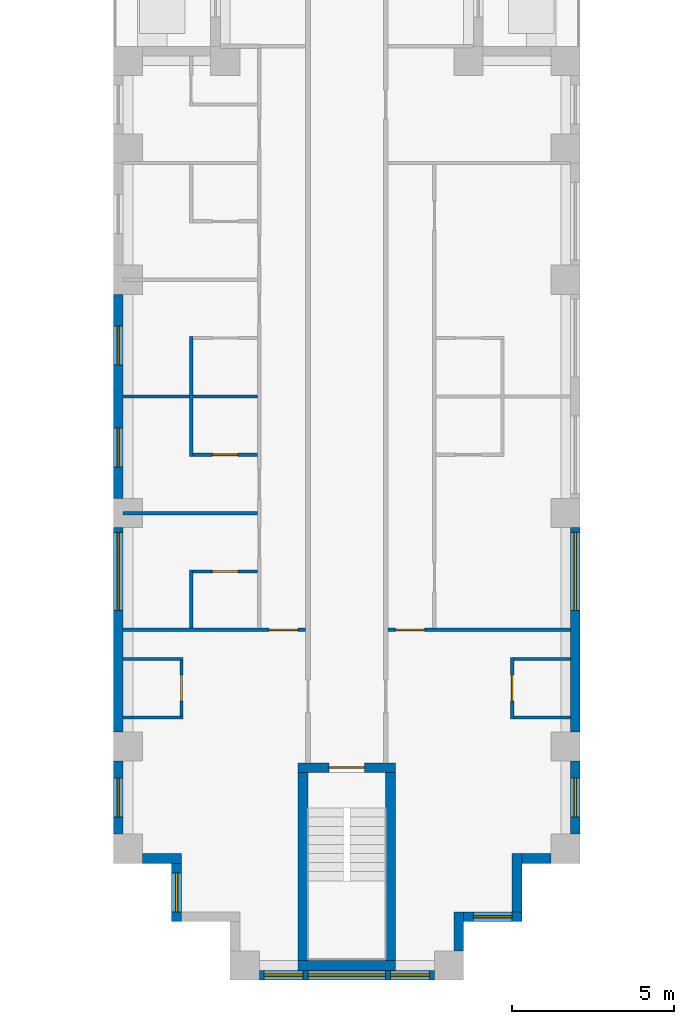
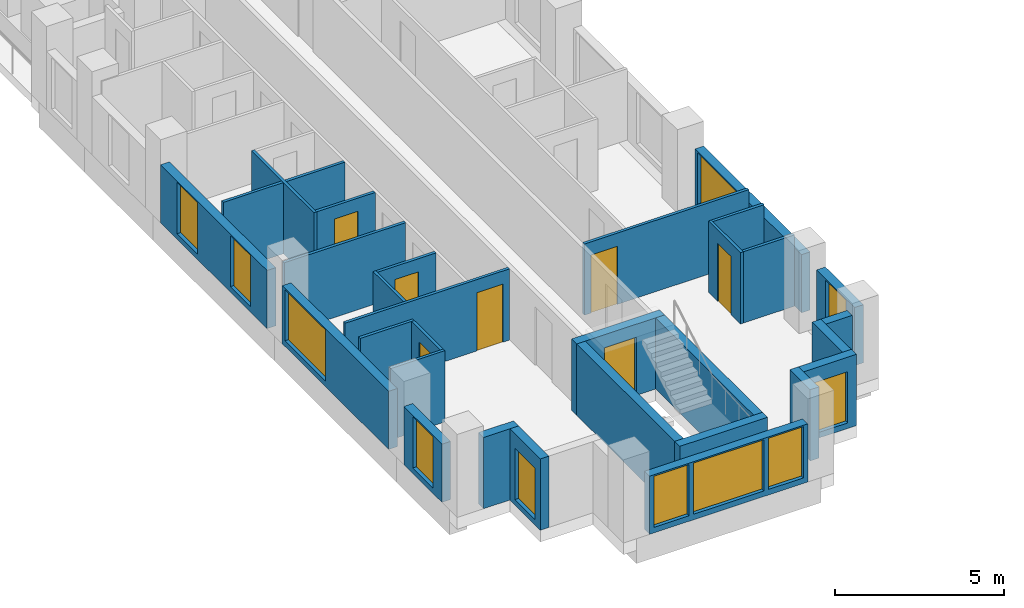
# One storey, part 3 of 15: 30 walls, 11 windows, 7 doors, 18 openings.
"""IFC4 building model written with IfcOpenShell, lengths in metres."""

from ifc_helpers import new_model, si_unit, direction, frame, frame_2d, origin, place, context, subcontext, project, spatial, rectangle, extrude, material, layer, layer_set, type_object, element, fill, save


model = new_model("IFC4")

# Units and contexts
model_context = context("Model", 3, precision=1e-05, world=origin(), true_north=direction((0.0, 1.0)))
body_context = subcontext(model_context, "Body", "Model", "MODEL_VIEW")
ifc_project = project(units=[si_unit("LENGTHUNIT", "METRE"), si_unit("AREAUNIT", "SQUARE_METRE"), si_unit("VOLUMEUNIT", "CUBIC_METRE"), si_unit("PLANEANGLEUNIT", "RADIAN"), si_unit("MASSUNIT", "GRAM", prefix="KILO")], contexts=[model_context])

# Site, building, storey
site_placement = place(None, origin())
site = spatial("IfcSite", under=ifc_project, at=site_placement, CompositionType="ELEMENT")
building_placement = place(site_placement, origin())
building = spatial("IfcBuilding", under=site, at=building_placement, Name="Fustian Cross Tower", CompositionType="ELEMENT")
storey_placement = place(building_placement, frame((0.0, 0.0, 14.699951171875)))
storey = spatial("IfcBuildingStorey", under=building, at=storey_placement, Name="L03", CompositionType="ELEMENT", Elevation=14.699951171875)

# Walls
ifc_material_1 = material(Name="Plasterboard on steel stud", Category="steel")
ifc_layer_1 = layer(ifc_material_1, 0.10009765625)
ifc_layer_set_1 = layer_set([ifc_layer_1], Name="Plasterboard on steel stud")
wall_type_1 = type_object("IfcWallType", Name="PARTITION 100 STUD", PredefinedType="PARTITIONING", material=ifc_layer_set_1)
for number, where, z_axis, x_axis, name in (
    (1, (-6.89990234375, -35.10009765625, 0.0), (0.0, 0.0, 1.0), (1.0, 0.0, 0.0), "Partition 10"),
    (2, (-6.89990234375, -33.300048828125, 0.0), (0.0, 0.0, 1.0), (1.0, 0.0, 0.0), "Partition 11"),
):
    element("IfcWall", number, at=place(storey_placement, frame(where, z_axis=z_axis, x_axis=x_axis)), inside=storey, type_object=wall_type_1, Name=name, PredefinedType="PARTITIONING", context=body_context, shape_type="SweptSolid", body=[
        extrude(rectangle(XDim=1.849853515625, YDim=0.10009765625, at=frame_2d((0.9248046875, 0.0))), origin(), (0.0, 0.0, 1.0), 2.574951171875),
    ])

# Wall, opening, door
wall_1_placement = place(storey_placement, frame((-6.89990234375, -32.39990234375, 0.0), z_axis=(0.0, 0.0, 1.0), x_axis=(1.0, 0.0, 0.0)))
wall_1 = element("IfcWall", 3, at=wall_1_placement, inside=storey, type_object=wall_type_1, Name="Partition 12", PredefinedType="PARTITIONING", context=body_context, shape_type="SweptSolid", body=[
    extrude(rectangle(XDim=5.625, YDim=0.10009765625, at=frame_2d((2.8125, 0.0))), origin(), (0.0, 0.0, 1.0), 2.574951171875),
])
opening_1_placement = place(wall_1_placement, frame((4.5, 0.0, 0.0)))
opening_1 = element("IfcOpeningElement", 4, at=opening_1_placement, cuts=wall_1, Name="Opening D04073", PredefinedType="OPENING", context=body_context, shape_type="SweptSolid", body=[
    extrude(rectangle(XDim=0.89990234375, YDim=2.10009765625, at=frame_2d((0.449951171875, 1.050048828125))), frame((0.0, 0.06005859375, 0.0), z_axis=(0.0, -1.0, 0.0), x_axis=(1.0, 0.0, 0.0)), (0.0, 0.0, 1.0), 0.1201171875),
])
ifc_material_2 = material(Name="Painted timber", Category="wood")
door_type_1 = type_object("IfcDoorType", Name="SWING DOOR 900", OperationType="SINGLE_SWING_LEFT", PredefinedType="DOOR", material=ifc_material_2)
door_1_placement = place(opening_1_placement, origin())
door_1 = element("IfcDoor", 5, at=door_1_placement, inside=storey, type_object=door_type_1, Name="Door D04073", OperationType="SINGLE_SWING_LEFT", OverallHeight=2.10009765625, OverallWidth=0.89990234375, PredefinedType="DOOR", context=body_context, shape_type="SweptSolid", body=[
    extrude(rectangle(XDim=0.89990234375, YDim=2.10009765625, at=frame_2d((0.449951171875, 1.050048828125))), frame((0.0, 0.02490234375, 0.0), z_axis=(0.0, -1.0, 0.0), x_axis=(1.0, 0.0, 0.0)), (0.0, 0.0, 1.0), 0.050048828125),
])
fill(opening_1, door_1)

# Walls
for number, where, z_axis, x_axis, name in (
    (6, (-6.89990234375, -28.800048828125, 0.0), (0.0, 0.0, 1.0), (1.0, 0.0, 0.0), "Partition 13"),
    (7, (-6.89990234375, -25.199951171875, 0.0), (0.0, 0.0, 1.0), (1.0, 0.0, 0.0), "Partition 14"),
):
    element("IfcWall", number, at=place(storey_placement, frame(where, z_axis=z_axis, x_axis=x_axis)), inside=storey, type_object=wall_type_1, Name=name, PredefinedType="PARTITIONING", context=body_context, shape_type="SweptSolid", body=[
        extrude(rectangle(XDim=4.14990234375, YDim=0.10009765625, at=frame_2d((2.074951171875, 0.0))), origin(), (0.0, 0.0, 1.0), 2.574951171875),
    ])

# Wall, opening, door
wall_2_placement = place(storey_placement, frame((-5.10009765625, -35.050048828125, 0.0), z_axis=(0.0, 0.0, 1.0), x_axis=(0.0, 1.0, 0.0)))
wall_2 = element("IfcWall", 8, at=wall_2_placement, inside=storey, type_object=wall_type_1, Name="Partition 24", PredefinedType="PARTITIONING", context=body_context, shape_type="SweptSolid", body=[
    extrude(rectangle(XDim=1.699951171875, YDim=0.10009765625, at=frame_2d((0.85009765625, 0.0))), origin(), (0.0, 0.0, 1.0), 2.574951171875),
])
opening_2_placement = place(wall_2_placement, frame((0.449951171875, 0.0, 0.0)))
opening_2 = element("IfcOpeningElement", 9, at=opening_2_placement, cuts=wall_2, Name="Opening D04066", PredefinedType="OPENING", context=body_context, shape_type="SweptSolid", body=[
    extrude(rectangle(XDim=0.800048828125, YDim=2.10009765625, at=frame_2d((0.39990234375, 1.050048828125))), frame((0.0, 0.06005859375, 0.0), z_axis=(0.0, -1.0, 0.0), x_axis=(1.0, 0.0, 0.0)), (0.0, 0.0, 1.0), 0.1201171875),
])
ifc_material_3 = material(Name="Painted timber", Category="wood")
door_type_2 = type_object("IfcDoorType", Name="SWING DOOR 800", OperationType="SINGLE_SWING_LEFT", PredefinedType="DOOR", material=ifc_material_3)
door_2_placement = place(opening_2_placement, origin())
door_2 = element("IfcDoor", 10, at=door_2_placement, inside=storey, type_object=door_type_2, Name="Door D04066", OperationType="SINGLE_SWING_RIGHT", OverallHeight=2.10009765625, OverallWidth=0.800048828125, PredefinedType="DOOR", context=body_context, shape_type="SweptSolid", body=[
    extrude(rectangle(XDim=0.800048828125, YDim=2.10009765625, at=frame_2d((0.39990234375, 1.050048828125))), frame((0.0, 0.02490234375, 0.0), z_axis=(0.0, -1.0, 0.0), x_axis=(1.0, 0.0, 0.0)), (0.0, 0.0, 1.0), 0.050048828125),
])
fill(opening_2, door_2)

# Wall
wall_3_placement = place(storey_placement, frame((-4.800048828125, -32.35009765625, 0.0), z_axis=(0.0, 0.0, 1.0), x_axis=(0.0, 1.0, 0.0)))
element("IfcWall", 11, at=wall_3_placement, inside=storey, type_object=wall_type_1, Name="Partition 26", PredefinedType="PARTITIONING", context=body_context, shape_type="SweptSolid", body=[
    extrude(rectangle(XDim=1.800048828125, YDim=0.10009765625, at=frame_2d((0.89990234375, 0.0))), origin(), (0.0, 0.0, 1.0), 2.574951171875),
])

# Wall, opening, door
wall_4_placement = place(storey_placement, frame((-4.75, -30.60009765625, 0.0), z_axis=(0.0, 0.0, 1.0), x_axis=(1.0, 0.0, 0.0)))
wall_4 = element("IfcWall", 12, at=wall_4_placement, inside=storey, type_object=wall_type_1, Name="Partition 27", PredefinedType="PARTITIONING", context=body_context, shape_type="SweptSolid", body=[
    extrude(rectangle(XDim=2.0, YDim=0.10009765625, at=frame_2d((1.0, 0.0))), origin(), (0.0, 0.0, 1.0), 2.574951171875),
])
opening_3_placement = place(wall_4_placement, frame((0.60009765625, 0.0, 0.0)))
opening_3 = element("IfcOpeningElement", 13, at=opening_3_placement, cuts=wall_4, Name="Opening D04078", PredefinedType="OPENING", context=body_context, shape_type="SweptSolid", body=[
    extrude(rectangle(XDim=0.800048828125, YDim=2.10009765625, at=frame_2d((0.39990234375, 1.050048828125))), frame((0.0, 0.06005859375, 0.0), z_axis=(0.0, -1.0, 0.0), x_axis=(1.0, 0.0, 0.0)), (0.0, 0.0, 1.0), 0.1201171875),
])
door_3_placement = place(opening_3_placement, frame((0.800048828125, 0.0, 0.0), z_axis=(0.0, 0.0, 1.0), x_axis=(-1.0, 0.0, 0.0)))
door_3 = element("IfcDoor", 14, at=door_3_placement, inside=storey, type_object=door_type_2, Name="Door D04078", OperationType="SINGLE_SWING_RIGHT", OverallHeight=2.10009765625, OverallWidth=0.800048828125, PredefinedType="DOOR", context=body_context, shape_type="SweptSolid", body=[
    extrude(rectangle(XDim=0.800048828125, YDim=2.10009765625, at=frame_2d((0.39990234375, 1.050048828125))), frame((0.0, 0.02490234375, 0.0), z_axis=(0.0, -1.0, 0.0), x_axis=(1.0, 0.0, 0.0)), (0.0, 0.0, 1.0), 0.050048828125),
])
fill(opening_3, door_3)

# Wall
wall_5_placement = place(storey_placement, frame((-4.800048828125, -27.050048828125, 0.0), z_axis=(0.0, 0.0, 1.0), x_axis=(0.0, 1.0, 0.0)))
element("IfcWall", 15, at=wall_5_placement, inside=storey, type_object=wall_type_1, Name="Partition 28", PredefinedType="PARTITIONING", context=body_context, shape_type="SweptSolid", body=[
    extrude(rectangle(XDim=3.699951171875, YDim=0.10009765625, at=frame_2d((1.85009765625, 0.0))), origin(), (0.0, 0.0, 1.0), 2.574951171875),
])

# Wall, opening, door
wall_6_placement = place(storey_placement, frame((-4.75, -27.0, 0.0), z_axis=(0.0, 0.0, 1.0), x_axis=(1.0, 0.0, 0.0)))
wall_6 = element("IfcWall", 16, at=wall_6_placement, inside=storey, type_object=wall_type_1, Name="Partition 29", PredefinedType="PARTITIONING", context=body_context, shape_type="SweptSolid", body=[
    extrude(rectangle(XDim=2.0, YDim=0.10009765625, at=frame_2d((1.0, 0.0))), origin(), (0.0, 0.0, 1.0), 2.574951171875),
])
opening_4_placement = place(wall_6_placement, frame((0.60009765625, 0.0, 0.0)))
opening_4 = element("IfcOpeningElement", 17, at=opening_4_placement, cuts=wall_6, Name="Opening D04077", PredefinedType="OPENING", context=body_context, shape_type="SweptSolid", body=[
    extrude(rectangle(XDim=0.800048828125, YDim=2.10009765625, at=frame_2d((0.39990234375, 1.050048828125))), frame((0.0, 0.06005859375, 0.0), z_axis=(0.0, -1.0, 0.0), x_axis=(1.0, 0.0, 0.0)), (0.0, 0.0, 1.0), 0.1201171875),
])
door_4_placement = place(opening_4_placement, origin())
door_4 = element("IfcDoor", 18, at=door_4_placement, inside=storey, type_object=door_type_2, Name="Door D04077", OperationType="SINGLE_SWING_LEFT", OverallHeight=2.10009765625, OverallWidth=0.800048828125, PredefinedType="DOOR", context=body_context, shape_type="SweptSolid", body=[
    extrude(rectangle(XDim=0.800048828125, YDim=2.10009765625, at=frame_2d((0.39990234375, 1.050048828125))), frame((0.0, 0.02490234375, 0.0), z_axis=(0.0, -1.0, 0.0), x_axis=(1.0, 0.0, 0.0)), (0.0, 0.0, 1.0), 0.050048828125),
])
fill(opening_4, door_4)

wall_7_placement = place(storey_placement, frame((1.27490234375, -32.39990234375, 0.0), z_axis=(0.0, 0.0, 1.0), x_axis=(1.0, 0.0, 0.0)))
wall_7 = element("IfcWall", 19, at=wall_7_placement, inside=storey, type_object=wall_type_1, Name="Partition 57", PredefinedType="PARTITIONING", context=body_context, shape_type="SweptSolid", body=[
    extrude(rectangle(XDim=5.625, YDim=0.10009765625, at=frame_2d((2.8125, 0.0))), origin(), (0.0, 0.0, 1.0), 2.574951171875),
])
opening_5_placement = place(wall_7_placement, frame((0.22509765625, 0.0, 0.0)))
opening_5 = element("IfcOpeningElement", 20, at=opening_5_placement, cuts=wall_7, Name="Opening D04060", PredefinedType="OPENING", context=body_context, shape_type="SweptSolid", body=[
    extrude(rectangle(XDim=0.89990234375, YDim=2.10009765625, at=frame_2d((0.449951171875, 1.050048828125))), frame((0.0, 0.06005859375, 0.0), z_axis=(0.0, -1.0, 0.0), x_axis=(1.0, 0.0, 0.0)), (0.0, 0.0, 1.0), 0.1201171875),
])
door_5_placement = place(opening_5_placement, origin())
door_5 = element("IfcDoor", 21, at=door_5_placement, inside=storey, type_object=door_type_1, Name="Door D04060", OperationType="SINGLE_SWING_LEFT", OverallHeight=2.10009765625, OverallWidth=0.89990234375, PredefinedType="DOOR", context=body_context, shape_type="SweptSolid", body=[
    extrude(rectangle(XDim=0.89990234375, YDim=2.10009765625, at=frame_2d((0.449951171875, 1.050048828125))), frame((0.0, 0.02490234375, 0.0), z_axis=(0.0, -1.0, 0.0), x_axis=(1.0, 0.0, 0.0)), (0.0, 0.0, 1.0), 0.050048828125),
])
fill(opening_5, door_5)

wall_8_placement = place(storey_placement, frame((5.10009765625, -35.14990234375, 0.0), z_axis=(0.0, 0.0, 1.0), x_axis=(0.0, 1.0, 0.0)))
wall_8 = element("IfcWall", 22, at=wall_8_placement, inside=storey, type_object=wall_type_1, Name="Partition 92", PredefinedType="PARTITIONING", context=body_context, shape_type="SweptSolid", body=[
    extrude(rectangle(XDim=1.89990234375, YDim=0.10009765625, at=frame_2d((0.949951171875, 0.0))), origin(), (0.0, 0.0, 1.0), 2.574951171875),
])
opening_6_placement = place(wall_8_placement, frame((0.550048828125, 0.0, 0.0)))
opening_6 = element("IfcOpeningElement", 23, at=opening_6_placement, cuts=wall_8, Name="Opening D04058", PredefinedType="OPENING", context=body_context, shape_type="SweptSolid", body=[
    extrude(rectangle(XDim=0.800048828125, YDim=2.10009765625, at=frame_2d((0.39990234375, 1.050048828125))), frame((0.0, 0.06005859375, 0.0), z_axis=(0.0, -1.0, 0.0), x_axis=(1.0, 0.0, 0.0)), (0.0, 0.0, 1.0), 0.1201171875),
])
door_6_placement = place(opening_6_placement, frame((0.800048828125, 0.0, 0.0), z_axis=(0.0, 0.0, 1.0), x_axis=(-1.0, 0.0, 0.0)))
door_6 = element("IfcDoor", 24, at=door_6_placement, inside=storey, type_object=door_type_2, Name="Door D04058", OperationType="SINGLE_SWING_LEFT", OverallHeight=2.10009765625, OverallWidth=0.800048828125, PredefinedType="DOOR", context=body_context, shape_type="SweptSolid", body=[
    extrude(rectangle(XDim=0.800048828125, YDim=2.10009765625, at=frame_2d((0.39990234375, 1.050048828125))), frame((0.0, 0.02490234375, 0.0), z_axis=(0.0, -1.0, 0.0), x_axis=(1.0, 0.0, 0.0)), (0.0, 0.0, 1.0), 0.050048828125),
])
fill(opening_6, door_6)

# Walls
for number, where, z_axis, x_axis, name in (
    (25, (5.14990234375, -35.10009765625, 0.0), (0.0, 0.0, 1.0), (1.0, 0.0, 0.0), "Partition 93"),
    (26, (5.14990234375, -33.300048828125, 0.0), (0.0, 0.0, 1.0), (1.0, 0.0, 0.0), "Partition 94"),
):
    element("IfcWall", number, at=place(storey_placement, frame(where, z_axis=z_axis, x_axis=x_axis)), inside=storey, type_object=wall_type_1, Name=name, PredefinedType="PARTITIONING", context=body_context, shape_type="SweptSolid", body=[
        extrude(rectangle(XDim=1.75, YDim=0.10009765625, at=frame_2d((0.875, 0.0))), origin(), (0.0, 0.0, 1.0), 2.574951171875),
    ])

# Wall, opening, door
ifc_material_4 = material(Name="Concrete C50/60", Category="concrete")
ifc_layer_2 = layer(ifc_material_4, 0.300048828125)
ifc_layer_set_2 = layer_set([ifc_layer_2], Name="Concrete C50/60")
wall_type_2 = type_object("IfcWallType", Name="STAIR ENCLOSURE WALL 300 C50/60", PredefinedType="SHEAR", material=ifc_layer_set_2)
wall_9_placement = place(storey_placement, frame((-1.5, -36.64990234375, 0.0), z_axis=(0.0, 0.0, 1.0), x_axis=(1.0, 0.0, 0.0)))
wall_9 = element("IfcWall", 27, at=wall_9_placement, inside=storey, type_object=wall_type_2, Name="Stair enclosure wall", PredefinedType="SHEAR", context=body_context, shape_type="SweptSolid", body=[
    extrude(rectangle(XDim=3.0, YDim=0.300048828125, at=frame_2d((1.5, 0.0))), origin(), (0.0, 0.0, 1.0), 2.574951171875),
])
opening_7_placement = place(wall_9_placement, frame((0.949951171875, 0.0, 0.0)))
opening_7 = element("IfcOpeningElement", 28, at=opening_7_placement, cuts=wall_9, Name="Opening CD-04-30", PredefinedType="OPENING", context=body_context, shape_type="SweptSolid", body=[
    extrude(rectangle(XDim=1.10009765625, YDim=2.10009765625, at=frame_2d((0.550048828125, 1.050048828125))), frame((0.0, 0.159912109375, 0.0), z_axis=(0.0, -1.0, 0.0), x_axis=(1.0, 0.0, 0.0)), (0.0, 0.0, 1.0), 0.320068359375),
])
ifc_material_5 = material(Name="Steel", Category="steel")
door_type_3 = type_object("IfcDoorType", Name="FIRE DOOR FD60S 1100X2100", OperationType="SINGLE_SWING_LEFT", PredefinedType="DOOR", material=ifc_material_5)
door_7_placement = place(opening_7_placement, frame((1.10009765625, 0.0, 0.0), z_axis=(0.0, 0.0, 1.0), x_axis=(-1.0, 0.0, 0.0)))
door_7 = element("IfcDoor", 29, at=door_7_placement, inside=storey, type_object=door_type_3, Name="Core door CD-04-30", OperationType="SINGLE_SWING_RIGHT", OverallHeight=2.10009765625, OverallWidth=1.10009765625, PredefinedType="DOOR", context=body_context, shape_type="SweptSolid", body=[
    extrude(rectangle(XDim=1.10009765625, YDim=2.10009765625, at=frame_2d((0.550048828125, 1.050048828125))), frame((0.0, 0.02490234375, 0.0), z_axis=(0.0, -1.0, 0.0), x_axis=(1.0, 0.0, 0.0)), (0.0, 0.0, 1.0), 0.050048828125),
])
fill(opening_7, door_7)

# Walls
wall_10_placement = place(storey_placement, frame((-1.5, -42.75, 0.0), z_axis=(0.0, 0.0, 1.0), x_axis=(1.0, 0.0, 0.0)))
element("IfcWall", 30, at=wall_10_placement, inside=storey, type_object=wall_type_2, Name="Stair enclosure wall", PredefinedType="SHEAR", context=body_context, shape_type="SweptSolid", body=[
    extrude(rectangle(XDim=3.0, YDim=0.300048828125, at=frame_2d((1.5, 0.0))), origin(), (0.0, 0.0, 1.0), 2.574951171875),
])
for number, where, z_axis, x_axis, name in (
    (31, (-1.35009765625, -36.800048828125, 0.0), (0.0, 0.0, 1.0), (0.0, -1.0, 0.0), "Stair enclosure wall"),
    (32, (1.35009765625, -36.800048828125, 0.0), (0.0, 0.0, 1.0), (0.0, -1.0, 0.0), "Stair enclosure wall"),
):
    element("IfcWall", number, at=place(storey_placement, frame(where, z_axis=z_axis, x_axis=x_axis)), inside=storey, type_object=wall_type_2, Name=name, PredefinedType="SHEAR", context=body_context, shape_type="SweptSolid", body=[
        extrude(rectangle(XDim=5.800048828125, YDim=0.300048828125, at=frame_2d((2.89990234375, 0.0))), origin(), (0.0, 0.0, 1.0), 2.574951171875),
    ])

# Wall, openings, windows
ifc_material_6 = material(Name="Dark aluminium cladding on insulated backing wall", Category="aluminium")
ifc_layer_3 = layer(ifc_material_6, 0.300048828125)
ifc_layer_set_3 = layer_set([ifc_layer_3], Name="Dark aluminium cladding on insulated backing wall")
wall_type_3 = type_object("IfcWallType", Name="XW1 EXTERNAL WALL 300", PredefinedType="SOLIDWALL", material=ifc_layer_set_3)
wall_11_placement = place(storey_placement, frame((-7.050048828125, -22.050048828125, 0.0), z_axis=(0.0, 0.0, 1.0), x_axis=(0.0, -1.0, 0.0)))
wall_11 = element("IfcWall", 33, at=wall_11_placement, inside=storey, type_object=wall_type_3, Name="External wall", PredefinedType="SOLIDWALL", context=body_context, shape_type="SweptSolid", body=[
    extrude(rectangle(XDim=6.300048828125, YDim=0.300048828125, at=frame_2d((3.14990234375, 0.0))), origin(), (0.0, 0.0, 1.0), 2.10009765625),
])
opening_8_placement = place(wall_11_placement, frame((0.97509765625, 0.0, 0.199951171875)))
opening_8 = element("IfcOpeningElement", 34, at=opening_8_placement, cuts=wall_11, Name="Opening WN3", PredefinedType="OPENING", context=body_context, shape_type="SweptSolid", body=[
    extrude(rectangle(XDim=1.199951171875, YDim=1.85009765625, at=frame_2d((0.60009765625, 0.925048828125))), frame((0.0, 0.159912109375, 0.0), z_axis=(0.0, -1.0, 0.0), x_axis=(1.0, 0.0, 0.0)), (0.0, 0.0, 1.0), 0.320068359375),
])
opening_9_placement = place(wall_11_placement, frame((4.125, 0.0, 0.199951171875)))
opening_9 = element("IfcOpeningElement", 35, at=opening_9_placement, cuts=wall_11, Name="Opening WN3", PredefinedType="OPENING", context=body_context, shape_type="SweptSolid", body=[
    extrude(rectangle(XDim=1.199951171875, YDim=1.85009765625, at=frame_2d((0.60009765625, 0.925048828125))), frame((0.0, 0.159912109375, 0.0), z_axis=(0.0, -1.0, 0.0), x_axis=(1.0, 0.0, 0.0)), (0.0, 0.0, 1.0), 0.320068359375),
])
ifc_material_7 = material(Name="Dark anodised aluminium and double glazing", Category="aluminium")
window_type_1 = type_object("IfcWindowType", Name="WN3 WINDOW 1200X1850", PartitioningType="SINGLE_PANEL", PredefinedType="WINDOW", material=ifc_material_7)
window_1_placement = place(opening_8_placement, origin())
window_1 = element("IfcWindow", 36, at=window_1_placement, inside=storey, type_object=window_type_1, Name="Window", OverallHeight=1.85009765625, OverallWidth=1.199951171875, PartitioningType="SINGLE_PANEL", PredefinedType="WINDOW", context=body_context, shape_type="SweptSolid", body=[
    extrude(rectangle(XDim=1.199951171875, YDim=1.85009765625, at=frame_2d((0.60009765625, 0.925048828125))), frame((0.0, 0.030029296875, 0.0), z_axis=(0.0, -1.0, 0.0), x_axis=(1.0, 0.0, 0.0)), (0.0, 0.0, 1.0), 0.06005859375),
])
fill(opening_8, window_1)
window_2_placement = place(opening_9_placement, origin())
window_2 = element("IfcWindow", 37, at=window_2_placement, inside=storey, type_object=window_type_1, Name="Window", OverallHeight=1.85009765625, OverallWidth=1.199951171875, PartitioningType="SINGLE_PANEL", PredefinedType="WINDOW", context=body_context, shape_type="SweptSolid", body=[
    extrude(rectangle(XDim=1.199951171875, YDim=1.85009765625, at=frame_2d((0.60009765625, 0.925048828125))), frame((0.0, 0.030029296875, 0.0), z_axis=(0.0, -1.0, 0.0), x_axis=(1.0, 0.0, 0.0)), (0.0, 0.0, 1.0), 0.06005859375),
])
fill(opening_9, window_2)

# Wall, opening, window
wall_12_placement = place(storey_placement, frame((-7.050048828125, -29.25, 0.0), z_axis=(0.0, 0.0, 1.0), x_axis=(0.0, -1.0, 0.0)))
wall_12 = element("IfcWall", 38, at=wall_12_placement, inside=storey, type_object=wall_type_3, Name="External wall", PredefinedType="SOLIDWALL", context=body_context, shape_type="SweptSolid", body=[
    extrude(rectangle(XDim=6.300048828125, YDim=0.300048828125, at=frame_2d((3.14990234375, 0.0))), origin(), (0.0, 0.0, 1.0), 2.10009765625),
])
opening_10_placement = place(wall_12_placement, frame((0.14990234375, 0.0, 0.199951171875)))
opening_10 = element("IfcOpeningElement", 39, at=opening_10_placement, cuts=wall_12, Name="Opening WN1", PredefinedType="OPENING", context=body_context, shape_type="SweptSolid", body=[
    extrude(rectangle(XDim=2.39990234375, YDim=1.85009765625, at=frame_2d((1.199951171875, 0.925048828125))), frame((0.0, 0.159912109375, 0.0), z_axis=(0.0, -1.0, 0.0), x_axis=(1.0, 0.0, 0.0)), (0.0, 0.0, 1.0), 0.320068359375),
])
ifc_material_8 = material(Name="Dark anodised aluminium and double glazing", Category="aluminium")
window_type_2 = type_object("IfcWindowType", Name="WN1 WINDOW 2400X1850", PartitioningType="SINGLE_PANEL", PredefinedType="WINDOW", material=ifc_material_8)
window_3_placement = place(opening_10_placement, origin())
window_3 = element("IfcWindow", 40, at=window_3_placement, inside=storey, type_object=window_type_2, Name="Window", OverallHeight=1.85009765625, OverallWidth=2.39990234375, PartitioningType="SINGLE_PANEL", PredefinedType="WINDOW", context=body_context, shape_type="SweptSolid", body=[
    extrude(rectangle(XDim=2.39990234375, YDim=1.85009765625, at=frame_2d((1.199951171875, 0.925048828125))), frame((0.0, 0.030029296875, 0.0), z_axis=(0.0, -1.0, 0.0), x_axis=(1.0, 0.0, 0.0)), (0.0, 0.0, 1.0), 0.06005859375),
])
fill(opening_10, window_3)

wall_13_placement = place(storey_placement, frame((-7.050048828125, -36.449951171875, 0.0), z_axis=(0.0, 0.0, 1.0), x_axis=(0.0, -1.0, 0.0)))
wall_13 = element("IfcWall", 41, at=wall_13_placement, inside=storey, type_object=wall_type_3, Name="External wall", PredefinedType="SOLIDWALL", context=body_context, shape_type="SweptSolid", body=[
    extrude(rectangle(XDim=2.25, YDim=0.300048828125, at=frame_2d((1.125, 0.0))), origin(), (0.0, 0.0, 1.0), 2.10009765625),
])
opening_11_placement = place(wall_13_placement, frame((0.52490234375, 0.0, 0.199951171875)))
opening_11 = element("IfcOpeningElement", 42, at=opening_11_placement, cuts=wall_13, Name="Opening WN3", PredefinedType="OPENING", context=body_context, shape_type="SweptSolid", body=[
    extrude(rectangle(XDim=1.199951171875, YDim=1.85009765625, at=frame_2d((0.60009765625, 0.925048828125))), frame((0.0, 0.159912109375, 0.0), z_axis=(0.0, -1.0, 0.0), x_axis=(1.0, 0.0, 0.0)), (0.0, 0.0, 1.0), 0.320068359375),
])
window_4_placement = place(opening_11_placement, origin())
window_4 = element("IfcWindow", 43, at=window_4_placement, inside=storey, type_object=window_type_1, Name="Window", OverallHeight=1.85009765625, OverallWidth=1.199951171875, PartitioningType="SINGLE_PANEL", PredefinedType="WINDOW", context=body_context, shape_type="SweptSolid", body=[
    extrude(rectangle(XDim=1.199951171875, YDim=1.85009765625, at=frame_2d((0.60009765625, 0.925048828125))), frame((0.0, 0.030029296875, 0.0), z_axis=(0.0, -1.0, 0.0), x_axis=(1.0, 0.0, 0.0)), (0.0, 0.0, 1.0), 0.06005859375),
])
fill(opening_11, window_4)

# Wall
wall_14_placement = place(storey_placement, frame((-6.300048828125, -39.449951171875, 0.0), z_axis=(0.0, 0.0, 1.0), x_axis=(1.0, 0.0, 0.0)))
element("IfcWall", 44, at=wall_14_placement, inside=storey, type_object=wall_type_3, Name="External wall", PredefinedType="SOLIDWALL", context=body_context, shape_type="SweptSolid", body=[
    extrude(rectangle(XDim=1.199951171875, YDim=0.300048828125, at=frame_2d((0.60009765625, 0.0))), origin(), (0.0, 0.0, 1.0), 2.574951171875),
])

# Wall, opening, window
wall_15_placement = place(storey_placement, frame((-5.25, -39.60009765625, 0.0), z_axis=(0.0, 0.0, 1.0), x_axis=(0.0, -1.0, 0.0)))
wall_15 = element("IfcWall", 45, at=wall_15_placement, inside=storey, type_object=wall_type_3, Name="External wall", PredefinedType="SOLIDWALL", context=body_context, shape_type="SweptSolid", body=[
    extrude(rectangle(XDim=1.7998046875, YDim=0.300048828125, at=frame_2d((0.89990234375, 0.0))), origin(), (0.0, 0.0, 1.0), 2.574951171875),
])
opening_12_placement = place(wall_15_placement, frame((0.300048828125, 0.0, 0.199951171875)))
opening_12 = element("IfcOpeningElement", 46, at=opening_12_placement, cuts=wall_15, Name="Opening WN3", PredefinedType="OPENING", context=body_context, shape_type="SweptSolid", body=[
    extrude(rectangle(XDim=1.199951171875, YDim=1.85009765625, at=frame_2d((0.60009765625, 0.925048828125))), frame((0.0, 0.159912109375, 0.0), z_axis=(0.0, -1.0, 0.0), x_axis=(1.0, 0.0, 0.0)), (0.0, 0.0, 1.0), 0.320068359375),
])
window_5_placement = place(opening_12_placement, origin())
window_5 = element("IfcWindow", 47, at=window_5_placement, inside=storey, type_object=window_type_1, Name="Window", OverallHeight=1.85009765625, OverallWidth=1.199951171875, PartitioningType="SINGLE_PANEL", PredefinedType="WINDOW", context=body_context, shape_type="SweptSolid", body=[
    extrude(rectangle(XDim=1.199951171875, YDim=1.85009765625, at=frame_2d((0.60009765625, 0.925048828125))), frame((0.0, 0.030029296875, 0.0), z_axis=(0.0, -1.0, 0.0), x_axis=(1.0, 0.0, 0.0)), (0.0, 0.0, 1.0), 0.06005859375),
])
fill(opening_12, window_5)

# Wall, openings, windows
wall_16_placement = place(storey_placement, frame((-2.699951171875, -43.050048828125, 0.0), z_axis=(0.0, 0.0, 1.0), x_axis=(1.0, 0.0, 0.0)))
wall_16 = element("IfcWall", 48, at=wall_16_placement, inside=storey, type_object=wall_type_3, Name="External wall", PredefinedType="SOLIDWALL", context=body_context, shape_type="SweptSolid", body=[
    extrude(rectangle(XDim=5.39990234375, YDim=0.300048828125, at=frame_2d((2.699951171875, 0.0))), origin(), (0.0, 0.0, 1.0), 2.10009765625),
])
opening_13_placement = place(wall_16_placement, frame((1.5, 0.0, 0.199951171875)))
opening_13 = element("IfcOpeningElement", 49, at=opening_13_placement, cuts=wall_16, Name="Opening WN1", PredefinedType="OPENING", context=body_context, shape_type="SweptSolid", body=[
    extrude(rectangle(XDim=2.39990234375, YDim=1.85009765625, at=frame_2d((1.199951171875, 0.925048828125))), frame((0.0, 0.159912109375, 0.0), z_axis=(0.0, -1.0, 0.0), x_axis=(1.0, 0.0, 0.0)), (0.0, 0.0, 1.0), 0.320068359375),
])
opening_14_placement = place(wall_16_placement, frame((0.14990234375, 0.0, 0.199951171875)))
opening_14 = element("IfcOpeningElement", 50, at=opening_14_placement, cuts=wall_16, Name="Opening WN3", PredefinedType="OPENING", context=body_context, shape_type="SweptSolid", body=[
    extrude(rectangle(XDim=1.199951171875, YDim=1.85009765625, at=frame_2d((0.60009765625, 0.925048828125))), frame((0.0, 0.159912109375, 0.0), z_axis=(0.0, -1.0, 0.0), x_axis=(1.0, 0.0, 0.0)), (0.0, 0.0, 1.0), 0.320068359375),
])
opening_15_placement = place(wall_16_placement, frame((4.050048828125, 0.0, 0.199951171875)))
opening_15 = element("IfcOpeningElement", 51, at=opening_15_placement, cuts=wall_16, Name="Opening WN3", PredefinedType="OPENING", context=body_context, shape_type="SweptSolid", body=[
    extrude(rectangle(XDim=1.199951171875, YDim=1.85009765625, at=frame_2d((0.60009765625, 0.925048828125))), frame((0.0, 0.159912109375, 0.0), z_axis=(0.0, -1.0, 0.0), x_axis=(1.0, 0.0, 0.0)), (0.0, 0.0, 1.0), 0.320068359375),
])
window_6_placement = place(opening_13_placement, origin())
window_6 = element("IfcWindow", 52, at=window_6_placement, inside=storey, type_object=window_type_2, Name="Window", OverallHeight=1.85009765625, OverallWidth=2.39990234375, PartitioningType="SINGLE_PANEL", PredefinedType="WINDOW", context=body_context, shape_type="SweptSolid", body=[
    extrude(rectangle(XDim=2.39990234375, YDim=1.85009765625, at=frame_2d((1.199951171875, 0.925048828125))), frame((0.0, 0.030029296875, 0.0), z_axis=(0.0, -1.0, 0.0), x_axis=(1.0, 0.0, 0.0)), (0.0, 0.0, 1.0), 0.06005859375),
])
fill(opening_13, window_6)
window_7_placement = place(opening_14_placement, origin())
window_7 = element("IfcWindow", 53, at=window_7_placement, inside=storey, type_object=window_type_1, Name="Window", OverallHeight=1.85009765625, OverallWidth=1.199951171875, PartitioningType="SINGLE_PANEL", PredefinedType="WINDOW", context=body_context, shape_type="SweptSolid", body=[
    extrude(rectangle(XDim=1.199951171875, YDim=1.85009765625, at=frame_2d((0.60009765625, 0.925048828125))), frame((0.0, 0.030029296875, 0.0), z_axis=(0.0, -1.0, 0.0), x_axis=(1.0, 0.0, 0.0)), (0.0, 0.0, 1.0), 0.06005859375),
])
fill(opening_14, window_7)
window_8_placement = place(opening_15_placement, origin())
window_8 = element("IfcWindow", 54, at=window_8_placement, inside=storey, type_object=window_type_1, Name="Window", OverallHeight=1.85009765625, OverallWidth=1.199951171875, PartitioningType="SINGLE_PANEL", PredefinedType="WINDOW", context=body_context, shape_type="SweptSolid", body=[
    extrude(rectangle(XDim=1.199951171875, YDim=1.85009765625, at=frame_2d((0.60009765625, 0.925048828125))), frame((0.0, 0.030029296875, 0.0), z_axis=(0.0, -1.0, 0.0), x_axis=(1.0, 0.0, 0.0)), (0.0, 0.0, 1.0), 0.06005859375),
])
fill(opening_15, window_8)

# Wall
wall_17_placement = place(storey_placement, frame((3.449951171875, -42.300048828125, 0.0), z_axis=(0.0, 0.0, 1.0), x_axis=(0.0, 1.0, 0.0)))
element("IfcWall", 55, at=wall_17_placement, inside=storey, type_object=wall_type_3, Name="External wall", PredefinedType="SOLIDWALL", context=body_context, shape_type="SweptSolid", body=[
    extrude(rectangle(XDim=1.199951171875, YDim=0.300048828125, at=frame_2d((0.60009765625, 0.0))), origin(), (0.0, 0.0, 1.0), 2.574951171875),
])

# Wall, opening, window
wall_18_placement = place(storey_placement, frame((3.60009765625, -41.25, 0.0), z_axis=(0.0, 0.0, 1.0), x_axis=(1.0, 0.0, 0.0)))
wall_18 = element("IfcWall", 56, at=wall_18_placement, inside=storey, type_object=wall_type_3, Name="External wall", PredefinedType="SOLIDWALL", context=body_context, shape_type="SweptSolid", body=[
    extrude(rectangle(XDim=1.7998046875, YDim=0.300048828125, at=frame_2d((0.89990234375, 0.0))), origin(), (0.0, 0.0, 1.0), 2.574951171875),
])
opening_16_placement = place(wall_18_placement, frame((0.300048828125, 0.0, 0.199951171875)))
opening_16 = element("IfcOpeningElement", 57, at=opening_16_placement, cuts=wall_18, Name="Opening WN3", PredefinedType="OPENING", context=body_context, shape_type="SweptSolid", body=[
    extrude(rectangle(XDim=1.199951171875, YDim=1.85009765625, at=frame_2d((0.60009765625, 0.925048828125))), frame((0.0, 0.159912109375, 0.0), z_axis=(0.0, -1.0, 0.0), x_axis=(1.0, 0.0, 0.0)), (0.0, 0.0, 1.0), 0.320068359375),
])
window_9_placement = place(opening_16_placement, origin())
window_9 = element("IfcWindow", 58, at=window_9_placement, inside=storey, type_object=window_type_1, Name="Window", OverallHeight=1.85009765625, OverallWidth=1.199951171875, PartitioningType="SINGLE_PANEL", PredefinedType="WINDOW", context=body_context, shape_type="SweptSolid", body=[
    extrude(rectangle(XDim=1.199951171875, YDim=1.85009765625, at=frame_2d((0.60009765625, 0.925048828125))), frame((0.0, 0.030029296875, 0.0), z_axis=(0.0, -1.0, 0.0), x_axis=(1.0, 0.0, 0.0)), (0.0, 0.0, 1.0), 0.06005859375),
])
fill(opening_16, window_9)

# Walls
wall_19_placement = place(storey_placement, frame((5.25, -41.10009765625, 0.0), z_axis=(0.0, 0.0, 1.0), x_axis=(0.0, 1.0, 0.0)))
element("IfcWall", 59, at=wall_19_placement, inside=storey, type_object=wall_type_3, Name="External wall", PredefinedType="SOLIDWALL", context=body_context, shape_type="SweptSolid", body=[
    extrude(rectangle(XDim=1.800048828125, YDim=0.300048828125, at=frame_2d((0.89990234375, 0.0))), origin(), (0.0, 0.0, 1.0), 2.574951171875),
])
wall_20_placement = place(storey_placement, frame((5.39990234375, -39.449951171875, 0.0), z_axis=(0.0, 0.0, 1.0), x_axis=(1.0, 0.0, 0.0)))
element("IfcWall", 60, at=wall_20_placement, inside=storey, type_object=wall_type_3, Name="External wall", PredefinedType="SOLIDWALL", context=body_context, shape_type="SweptSolid", body=[
    extrude(rectangle(XDim=0.900146484375, YDim=0.300048828125, at=frame_2d((0.4501953125, 0.0))), origin(), (0.0, 0.0, 1.0), 2.574951171875),
])

# Wall, opening, window
wall_21_placement = place(storey_placement, frame((7.050048828125, -38.699951171875, 0.0), z_axis=(0.0, 0.0, 1.0), x_axis=(0.0, 1.0, 0.0)))
wall_21 = element("IfcWall", 61, at=wall_21_placement, inside=storey, type_object=wall_type_3, Name="External wall", PredefinedType="SOLIDWALL", context=body_context, shape_type="SweptSolid", body=[
    extrude(rectangle(XDim=2.25, YDim=0.300048828125, at=frame_2d((1.125, 0.0))), origin(), (0.0, 0.0, 1.0), 2.10009765625),
])
opening_17_placement = place(wall_21_placement, frame((0.52490234375, 0.0, 0.199951171875)))
opening_17 = element("IfcOpeningElement", 62, at=opening_17_placement, cuts=wall_21, Name="Opening WN3", PredefinedType="OPENING", context=body_context, shape_type="SweptSolid", body=[
    extrude(rectangle(XDim=1.199951171875, YDim=1.85009765625, at=frame_2d((0.60009765625, 0.925048828125))), frame((0.0, 0.159912109375, 0.0), z_axis=(0.0, -1.0, 0.0), x_axis=(1.0, 0.0, 0.0)), (0.0, 0.0, 1.0), 0.320068359375),
])
window_10_placement = place(opening_17_placement, origin())
window_10 = element("IfcWindow", 63, at=window_10_placement, inside=storey, type_object=window_type_1, Name="Window", OverallHeight=1.85009765625, OverallWidth=1.199951171875, PartitioningType="SINGLE_PANEL", PredefinedType="WINDOW", context=body_context, shape_type="SweptSolid", body=[
    extrude(rectangle(XDim=1.199951171875, YDim=1.85009765625, at=frame_2d((0.60009765625, 0.925048828125))), frame((0.0, 0.030029296875, 0.0), z_axis=(0.0, -1.0, 0.0), x_axis=(1.0, 0.0, 0.0)), (0.0, 0.0, 1.0), 0.06005859375),
])
fill(opening_17, window_10)

wall_22_placement = place(storey_placement, frame((7.050048828125, -35.550048828125, 0.0), z_axis=(0.0, 0.0, 1.0), x_axis=(0.0, 1.0, 0.0)))
wall_22 = element("IfcWall", 64, at=wall_22_placement, inside=storey, type_object=wall_type_3, Name="External wall", PredefinedType="SOLIDWALL", context=body_context, shape_type="SweptSolid", body=[
    extrude(rectangle(XDim=6.300048828125, YDim=0.300048828125, at=frame_2d((3.14990234375, 0.0))), origin(), (0.0, 0.0, 1.0), 2.10009765625),
])
opening_18_placement = place(wall_22_placement, frame((3.75, 0.0, 0.199951171875)))
opening_18 = element("IfcOpeningElement", 65, at=opening_18_placement, cuts=wall_22, Name="Opening WN1", PredefinedType="OPENING", context=body_context, shape_type="SweptSolid", body=[
    extrude(rectangle(XDim=2.39990234375, YDim=1.85009765625, at=frame_2d((1.199951171875, 0.925048828125))), frame((0.0, 0.159912109375, 0.0), z_axis=(0.0, -1.0, 0.0), x_axis=(1.0, 0.0, 0.0)), (0.0, 0.0, 1.0), 0.320068359375),
])
window_11_placement = place(opening_18_placement, origin())
window_11 = element("IfcWindow", 66, at=window_11_placement, inside=storey, type_object=window_type_2, Name="Window", OverallHeight=1.85009765625, OverallWidth=2.39990234375, PartitioningType="SINGLE_PANEL", PredefinedType="WINDOW", context=body_context, shape_type="SweptSolid", body=[
    extrude(rectangle(XDim=2.39990234375, YDim=1.85009765625, at=frame_2d((1.199951171875, 0.925048828125))), frame((0.0, 0.030029296875, 0.0), z_axis=(0.0, -1.0, 0.0), x_axis=(1.0, 0.0, 0.0)), (0.0, 0.0, 1.0), 0.06005859375),
])
fill(opening_18, window_11)

save(model, "model.ifc")
